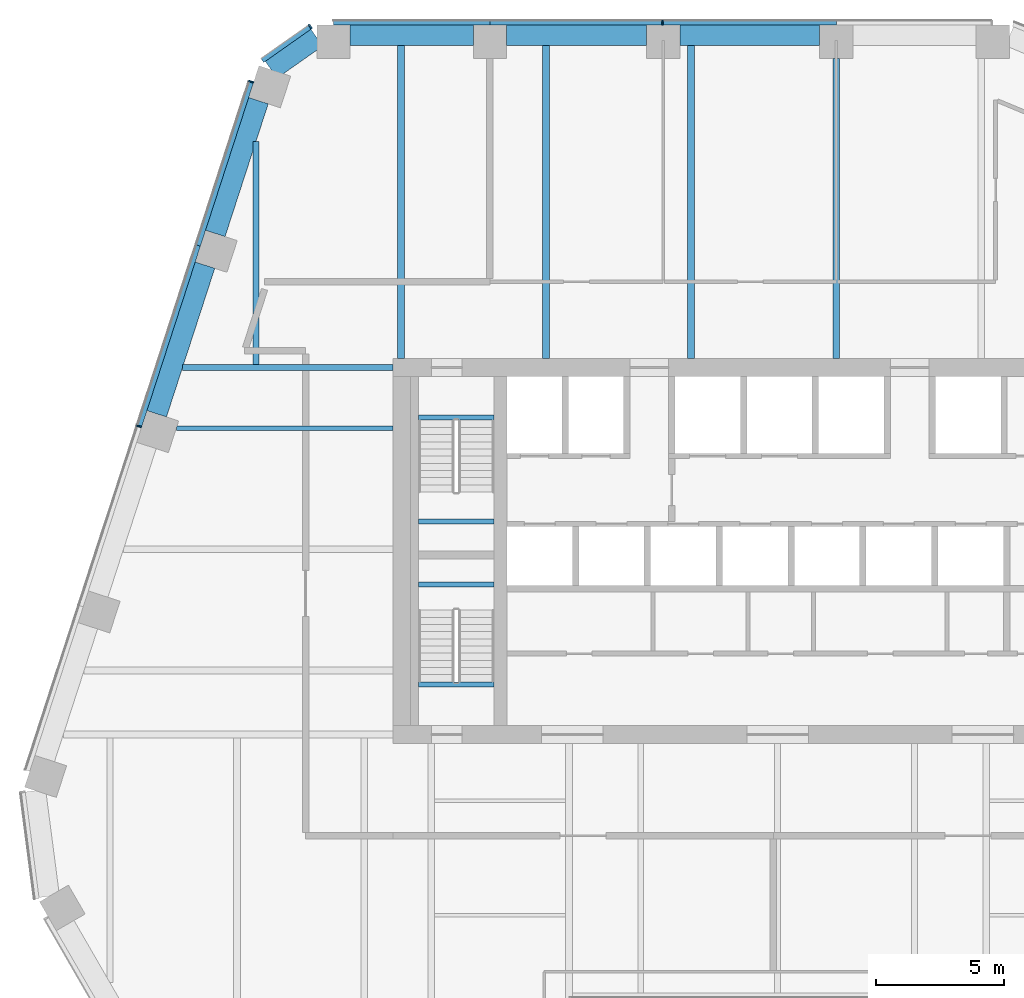
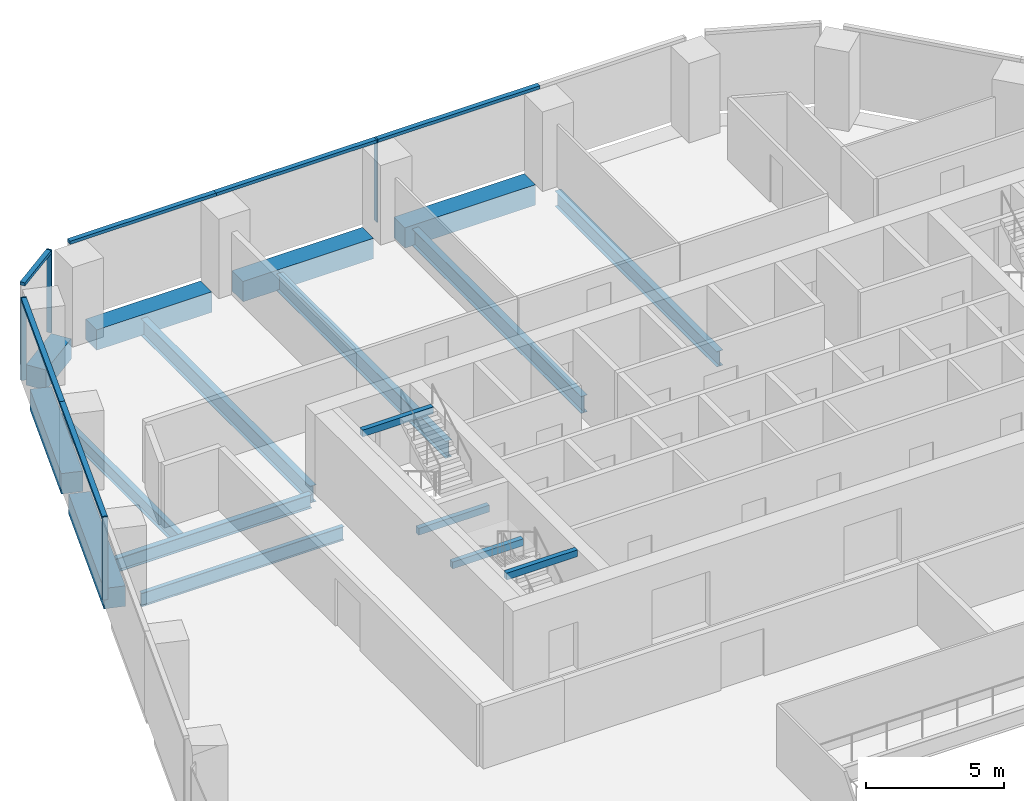
# One storey, part 7 of 16: 17 beams, 10 members, 3 elements without a shape of their own.
"""IFC4 building model written with IfcOpenShell, lengths in metres."""

from ifc_helpers import new_model, si_unit, direction, frame, origin, origin_2d, place, context, subcontext, project, spatial, rectangle, i_section, extrude, material, layer, layer_set, material_profile, profile_set, type_object, element, aggregate, save


model = new_model("IFC4")

# Units and contexts
model_context = context("Model", 3, precision=1e-05, world=origin(), true_north=direction((0.0, 1.0)))
body_context = subcontext(model_context, "Body", "Model", "MODEL_VIEW")
ifc_project = project(units=[si_unit("LENGTHUNIT", "METRE"), si_unit("AREAUNIT", "SQUARE_METRE"), si_unit("VOLUMEUNIT", "CUBIC_METRE"), si_unit("PLANEANGLEUNIT", "RADIAN"), si_unit("MASSUNIT", "GRAM", prefix="KILO")], contexts=[model_context])

# Site, building, storey
site_placement = place(None, origin())
site = spatial("IfcSite", under=ifc_project, at=site_placement, CompositionType="ELEMENT")
building_placement = place(site_placement, origin())
building = spatial("IfcBuilding", under=site, at=building_placement, Name="Isthmus Gate Tower", CompositionType="ELEMENT")
storey_placement = place(building_placement, frame((0.0, 0.0, 192.699951171875)))
storey = spatial("IfcBuildingStorey", under=building, at=storey_placement, Name="L48", CompositionType="ELEMENT", Elevation=192.699951171875)

# Curtain wall, member
ifc_material_1 = material(Name="Aluminium, pale champagne anodised", Category="aluminium")
ifc_layer = layer(ifc_material_1, 0.199951171875)
ifc_layer_set = layer_set([ifc_layer], Name="CW-1 UNITISED CURTAIN WALL 200 DEEP")
curtain_wall_type = type_object("IfcCurtainWallType", Name="CW-1 UNITISED CURTAIN WALL 200 DEEP", PredefinedType="NOTDEFINED", material=ifc_layer_set)
curtain_wall_1_placement = place(storey_placement, origin())
curtain_wall_1 = element("IfcCurtainWall", 1, at=curtain_wall_1_placement, inside=storey, type_object=curtain_wall_type, Name="CW-1 N L48", PredefinedType="NOTDEFINED")
ifc_material_2 = material(Name="Aluminium, pale champagne anodised", Category="aluminium")
ifc_material_profile_1 = material_profile(ifc_material_2, rectangle(XDim=0.06005859375, YDim=0.199951171875, at=origin_2d()), Name="60x200")
ifc_profile_set_1 = profile_set([ifc_material_profile_1], Name="Aluminium, pale champagne anodised")
member_type_1 = type_object("IfcMemberType", Name="CW-1 MULLION 60 X 200", PredefinedType="MULLION", material=ifc_profile_set_1)
member_1_placement = place(storey_placement, frame((-4.49169921875, 28.10009765625, 0.0), z_axis=(0.0, 0.0, 1.0), x_axis=(-1.0, 0.0, 0.0)))
member_1 = element("IfcMember", 2, at=member_1_placement, type_object=member_type_1, Name="CW-1 mullion", PredefinedType="MULLION", context=body_context, shape_type="SweptSolid", body=[
    extrude(rectangle(XDim=0.06005859375, YDim=0.199951171875, at=origin_2d()), origin(), (0.0, 0.0, 1.0), 3.650146484375),
])

curtain_wall_2_placement = place(storey_placement, origin())
curtain_wall_2 = element("IfcCurtainWall", 3, at=curtain_wall_2_placement, inside=storey, type_object=curtain_wall_type, Name="CW-1 N-NW L48", PredefinedType="NOTDEFINED")
member_2_placement = place(storey_placement, frame((-18.216552734375, 27.943115234375, 0.0), z_axis=(0.0, 0.0, 1.0), x_axis=(-0.81785959165, -0.57541783805, 0.0)))
member_2 = element("IfcMember", 4, at=member_2_placement, type_object=member_type_1, Name="CW-1 mullion", PredefinedType="MULLION", context=body_context, shape_type="SweptSolid", body=[
    extrude(rectangle(XDim=0.06005859375, YDim=0.199951171875, at=origin_2d()), origin(), (0.0, 0.0, 1.0), 3.650146484375),
])

# Curtain wall, members
curtain_wall_3_placement = place(storey_placement, origin())
curtain_wall_3 = element("IfcCurtainWall", 5, at=curtain_wall_3_placement, inside=storey, type_object=curtain_wall_type, Name="CW-1 NW L48", PredefinedType="NOTDEFINED")
member_3_placement = place(storey_placement, frame((-20.52001953125, 25.799072265625, 0.0), z_axis=(0.0, 0.0, 1.0), x_axis=(-0.309016994375, -0.951056516295, 0.0)))
member_3 = element("IfcMember", 6, at=member_3_placement, type_object=member_type_1, Name="CW-1 mullion", PredefinedType="MULLION", context=body_context, shape_type="SweptSolid", body=[
    extrude(rectangle(XDim=0.06005859375, YDim=0.199951171875, at=origin_2d()), origin(), (0.0, 0.0, 1.0), 3.650146484375),
])
member_4_placement = place(storey_placement, frame((-24.886962890625, 12.359130859375, 0.0), z_axis=(0.0, 0.0, 1.0), x_axis=(-0.309016994375, -0.951056516295, 0.0)))
member_4 = element("IfcMember", 7, at=member_4_placement, type_object=member_type_1, Name="CW-1 mullion", PredefinedType="MULLION", context=body_context, shape_type="SweptSolid", body=[
    extrude(rectangle(XDim=0.06005859375, YDim=0.199951171875, at=origin_2d()), origin(), (0.0, 0.0, 1.0), 3.650146484375),
])

# Member
ifc_material_3 = material(Name="Aluminium, pale champagne anodised", Category="aluminium")
ifc_material_profile_2 = material_profile(ifc_material_3, rectangle(XDim=0.199951171875, YDim=0.139892578125, at=origin_2d()), Name="200x140")
ifc_profile_set_2 = profile_set([ifc_material_profile_2], Name="Aluminium, pale champagne anodised")
member_type_2 = type_object("IfcMemberType", Name="CW-1 TRANSOM 200 X 140", PredefinedType="USERDEFINED", material=ifc_profile_set_2)
member_5_placement = place(storey_placement, frame((2.288330078125, 28.10009765625, 3.580078125), z_axis=(-1.0, 0.0, 0.0), x_axis=(0.0, -1.0, 0.0)))
member_5 = element("IfcMember", 8, at=member_5_placement, type_object=member_type_2, Name="CW-1 transom", ObjectType="TRANSOM", PredefinedType="USERDEFINED", context=body_context, shape_type="SweptSolid", body=[
    extrude(rectangle(XDim=0.199951171875, YDim=0.139892578125, at=origin_2d()), origin(), (0.0, 0.0, 1.0), 6.75),
])

member_6_placement = place(storey_placement, frame((-4.521728515625, 28.10009765625, 3.580078125), z_axis=(-1.0, 0.0, 0.0), x_axis=(0.0, -1.0, 0.0)))
member_6 = element("IfcMember", 9, at=member_6_placement, type_object=member_type_2, Name="CW-1 transom", ObjectType="TRANSOM", PredefinedType="USERDEFINED", context=body_context, shape_type="SweptSolid", body=[
    extrude(rectangle(XDim=0.199951171875, YDim=0.139892578125, at=origin_2d()), origin(), (0.0, 0.0, 1.0), 6.690185546875),
])

member_7_placement = place(storey_placement, frame((-11.2119140625, 28.10009765625, 3.580078125), z_axis=(-1.0, 0.0, 0.0), x_axis=(0.0, -1.0, 0.0)))
member_7 = element("IfcMember", 10, at=member_7_placement, type_object=member_type_2, Name="CW-1 transom", ObjectType="TRANSOM", PredefinedType="USERDEFINED", context=body_context, shape_type="SweptSolid", body=[
    extrude(rectangle(XDim=0.199951171875, YDim=0.139892578125, at=origin_2d()), origin(), (0.0, 0.0, 1.0), 6.10009765625),
])

aggregate(curtain_wall_1, [member_5, member_1, member_6, member_7])

member_8_placement = place(storey_placement, frame((-18.2412109375, 27.92578125, 3.580078125), z_axis=(-0.817868595604, -0.575405040233, 0.0), x_axis=(0.575405040233, -0.817868595604, 0.0)))
member_8 = element("IfcMember", 11, at=member_8_placement, type_object=member_type_2, Name="CW-1 transom", ObjectType="TRANSOM", PredefinedType="USERDEFINED", context=body_context, shape_type="SweptSolid", body=[
    extrude(rectangle(XDim=0.199951171875, YDim=0.139892578125, at=origin_2d()), origin(), (0.0, 0.0, 1.0), 2.258544921875),
])

aggregate(curtain_wall_2, [member_2, member_8])

member_9_placement = place(storey_placement, frame((-20.529296875, 25.7705078125, 3.580078125), z_axis=(-0.309015834351, -0.951056893209, 0.0), x_axis=(0.951056893209, -0.309015834351, 0.0)))
member_9 = element("IfcMember", 12, at=member_9_placement, type_object=member_type_2, Name="CW-1 transom", ObjectType="TRANSOM", PredefinedType="USERDEFINED", context=body_context, shape_type="SweptSolid", body=[
    extrude(rectangle(XDim=0.199951171875, YDim=0.139892578125, at=origin_2d()), origin(), (0.0, 0.0, 1.0), 6.6806640625),
])

member_10_placement = place(storey_placement, frame((-22.59375, 19.416748046875, 3.580078125), z_axis=(-0.309024076379, -0.951054215183, 0.0), x_axis=(0.951054215183, -0.309024076379, 0.0)))
member_10 = element("IfcMember", 13, at=member_10_placement, type_object=member_type_2, Name="CW-1 transom", ObjectType="TRANSOM", PredefinedType="USERDEFINED", context=body_context, shape_type="SweptSolid", body=[
    extrude(rectangle(XDim=0.199951171875, YDim=0.139892578125, at=origin_2d()), origin(), (0.0, 0.0, 1.0), 7.390869140625),
])

aggregate(curtain_wall_3, [member_3, member_9, member_10, member_4])

# Beams
ifc_material_4 = material(Name="Concrete f'c 60 MPa", Category="concrete")
ifc_material_profile_3 = material_profile(ifc_material_4, rectangle(XDim=0.800048828125, YDim=0.89990234375, at=origin_2d()), Name="RC 800X900")
ifc_profile_set_3 = profile_set([ifc_material_profile_3], Name="Concrete f'c 60 MPa")
beam_type_1 = type_object("IfcBeamType", Name="RC SPANDREL 800 X 900", PredefinedType="SPANDREL", material=ifc_profile_set_3)
beam_1_placement = place(storey_placement, frame((-24.201416015625, 12.851318359375, -0.449951171875), z_axis=(0.309039848514, 0.951049090232, 0.0), x_axis=(-0.951049090232, 0.309039848514, 0.0)))
element("IfcBeam", 14, at=beam_1_placement, inside=storey, type_object=beam_type_1, Name="str-spandrel-L48-23", PredefinedType="SPANDREL", context=body_context, shape_type="SweptSolid", body=[
    extrude(rectangle(XDim=0.800048828125, YDim=0.89990234375, at=origin_2d()), origin(), (0.0, 0.0, 1.0), 6.0908203125),
])
beam_2_placement = place(storey_placement, frame((-21.91748046875, 19.88037109375, -0.449951171875), z_axis=(0.309030267747, 0.951052203413, 0.0), x_axis=(-0.951052203413, 0.309030267747, 0.0)))
element("IfcBeam", 15, at=beam_2_placement, inside=storey, type_object=beam_type_1, Name="str-spandrel-L48-24", PredefinedType="SPANDREL", context=body_context, shape_type="SweptSolid", body=[
    extrude(rectangle(XDim=0.800048828125, YDim=0.89990234375, at=origin_2d()), origin(), (0.0, 0.0, 1.0), 5.44091796875),
])
beam_3_placement = place(storey_placement, frame((-19.7392578125, 26.260498046875, -0.449951171875), z_axis=(0.817857331203, 0.575421050882, 0.0), x_axis=(-0.575421050882, 0.817857331203, 0.0)))
element("IfcBeam", 16, at=beam_3_placement, inside=storey, type_object=beam_type_1, Name="str-spandrel-L48-25", PredefinedType="SPANDREL", context=body_context, shape_type="SweptSolid", body=[
    extrude(rectangle(XDim=0.800048828125, YDim=0.89990234375, at=origin_2d()), origin(), (0.0, 0.0, 1.0), 2.173095703125),
])
beam_4_placement = place(storey_placement, frame((-16.661865234375, 27.60009765625, -0.449951171875), z_axis=(1.0, 0.0, 0.0), x_axis=(0.0, 1.0, 0.0)))
element("IfcBeam", 17, at=beam_4_placement, inside=storey, type_object=beam_type_1, Name="str-spandrel-L48-26", PredefinedType="SPANDREL", context=body_context, shape_type="SweptSolid", body=[
    extrude(rectangle(XDim=0.800048828125, YDim=0.89990234375, at=origin_2d()), origin(), (0.0, 0.0, 1.0), 4.800048828125),
])
beam_5_placement = place(storey_placement, frame((-10.561767578125, 27.60009765625, -0.449951171875), z_axis=(1.0, 0.0, 0.0), x_axis=(0.0, 1.0, 0.0)))
element("IfcBeam", 18, at=beam_5_placement, inside=storey, type_object=beam_type_1, Name="str-spandrel-L48-27", PredefinedType="SPANDREL", context=body_context, shape_type="SweptSolid", body=[
    extrude(rectangle(XDim=0.800048828125, YDim=0.89990234375, at=origin_2d()), origin(), (0.0, 0.0, 1.0), 5.449951171875),
])
beam_6_placement = place(storey_placement, frame((-3.811767578125, 27.60009765625, -0.449951171875), z_axis=(1.0, 0.0, 0.0), x_axis=(0.0, 1.0, 0.0)))
element("IfcBeam", 19, at=beam_6_placement, inside=storey, type_object=beam_type_1, Name="str-spandrel-L48-28", PredefinedType="SPANDREL", context=body_context, shape_type="SweptSolid", body=[
    extrude(rectangle(XDim=0.800048828125, YDim=0.89990234375, at=origin_2d()), origin(), (0.0, 0.0, 1.0), 5.4501953125),
])
ifc_material_5 = material(Name="Concrete f'c 40 MPa", Category="concrete")
ifc_material_profile_4 = material_profile(ifc_material_5, rectangle(XDim=0.199951171875, YDim=0.300048828125, at=origin_2d()), Name="STAIR LANDING BEAM RC 200 X 300")
ifc_profile_set_4 = profile_set([ifc_material_profile_4], Name="Concrete f'c 40 MPa")
beam_type_2 = type_object("IfcBeamType", Name="STAIR LANDING BEAM RC 200 X 300", PredefinedType="BEAM", material=ifc_profile_set_4)
for number, where, z_axis, x_axis, name in (
    (20, (-14.0, 8.64990234375, 1.47509765625), (1.0, 0.0, 0.0), (0.0, 1.0, 0.0), "L48 ST1 landing beam 1"),
    (21, (-14.0, 12.7001953125, 3.35009765625), (1.0, 0.0, 0.0), (0.0, 1.0, 0.0), "L48 ST1 floor-edge seat beam"),
    (22, (-14.0, 6.199951171875, 1.47509765625), (1.0, 0.0, 0.0), (0.0, 1.0, 0.0), "L48 ST7 landing beam 1"),
    (23, (-14.0, 2.2998046875, 3.35009765625), (1.0, 0.0, 0.0), (0.0, 1.0, 0.0), "L48 ST7 floor-edge seat beam"),
):
    element("IfcBeam", number, at=place(storey_placement, frame(where, z_axis=z_axis, x_axis=x_axis)), inside=storey, type_object=beam_type_2, Name=name, PredefinedType="BEAM", context=body_context, shape_type="SweptSolid", body=[
        extrude(rectangle(XDim=0.199951171875, YDim=0.300048828125, at=origin_2d()), origin(), (0.0, 0.0, 1.0), 2.949951171875),
    ])
ifc_material_6 = material(Name="Structural steel ASTM A992 Gr 50", Category="steel")
ifc_material_profile_5 = material_profile(ifc_material_6, i_section(OverallWidth=0.177734375, OverallDepth=0.60009765625, WebThickness=0.009521484375, FlangeThickness=0.0126953125, at=origin_2d()), Name="W24X55")
ifc_profile_set_5 = profile_set([ifc_material_profile_5], Name="Structural steel ASTM A992 Gr 50")
beam_type_3 = type_object("IfcBeamType", Name="STEEL FLOOR BEAM W24X55", PredefinedType="JOIST", material=ifc_profile_set_5)
beam_7_placement = place(storey_placement, frame((-23.43798828125, 12.28857421875, -0.449951171875), z_axis=(1.0, 0.0, 0.0), x_axis=(0.0, 1.0, 0.0)))
element("IfcBeam", 24, at=beam_7_placement, inside=storey, type_object=beam_type_3, Name="str-beam-L48-01-02", PredefinedType="JOIST", context=body_context, shape_type="SweptSolid", body=[
    extrude(i_section(OverallWidth=0.177734375, OverallDepth=0.60009765625, WebThickness=0.009521484375, FlangeThickness=0.0126953125, at=origin_2d()), origin(), (0.0, 0.0, 1.0), 8.43798828125),
])
ifc_material_7 = material(Name="Structural steel ASTM A992 Gr 50", Category="steel")
ifc_material_profile_6 = material_profile(ifc_material_7, i_section(OverallWidth=0.228515625, OverallDepth=0.603271484375, WebThickness=0.010986328125, FlangeThickness=0.014404296875, at=origin_2d()), Name="W24X68")
ifc_profile_set_6 = profile_set([ifc_material_profile_6], Name="Structural steel ASTM A992 Gr 50")
beam_type_4 = type_object("IfcBeamType", Name="STEEL FLOOR BEAM W24X68", PredefinedType="JOIST", material=ifc_profile_set_6)
beam_8_placement = place(storey_placement, frame((-20.332763671875, 14.764404296875, -0.45166015625), z_axis=(0.0, 1.0, 0.0), x_axis=(-1.0, 0.0, 0.0)))
element("IfcBeam", 25, at=beam_8_placement, inside=storey, type_object=beam_type_4, Name="str-beam-L48-05-00", PredefinedType="JOIST", context=body_context, shape_type="SweptSolid", body=[
    extrude(i_section(OverallWidth=0.228515625, OverallDepth=0.603271484375, WebThickness=0.010986328125, FlangeThickness=0.014404296875, at=origin_2d()), origin(), (0.0, 0.0, 1.0), 8.69873046875),
])
ifc_material_8 = material(Name="Structural steel ASTM A992 Gr 50", Category="steel")
ifc_material_profile_7 = material_profile(ifc_material_8, i_section(OverallWidth=0.25390625, OverallDepth=0.679443359375, WebThickness=0.010986328125, FlangeThickness=0.015869140625, at=origin_2d()), Name="W27X84")
ifc_profile_set_7 = profile_set([ifc_material_profile_7], Name="Structural steel ASTM A992 Gr 50")
beam_type_5 = type_object("IfcBeamType", Name="STEEL FLOOR BEAM W27X84", PredefinedType="JOIST", material=ifc_profile_set_7)
beam_9_placement = place(storey_placement, frame((2.2783203125, 15.0, -0.48974609375), z_axis=(0.0, 1.0, 0.0), x_axis=(-1.0, 0.0, 0.0)))
element("IfcBeam", 26, at=beam_9_placement, inside=storey, type_object=beam_type_5, Name="str-beam-L48-05-04", PredefinedType="JOIST", context=body_context, shape_type="SweptSolid", body=[
    extrude(i_section(OverallWidth=0.25390625, OverallDepth=0.679443359375, WebThickness=0.010986328125, FlangeThickness=0.015869140625, at=origin_2d()), origin(), (0.0, 0.0, 1.0), 11.699951171875),
])
ifc_material_9 = material(Name="Structural steel ASTM A992 Gr 50", Category="steel")
ifc_material_profile_8 = material_profile(ifc_material_9, i_section(OverallWidth=0.263427734375, OverallDepth=0.749267578125, WebThickness=0.0126953125, FlangeThickness=0.015869140625, at=origin_2d()), Name="W30X90")
ifc_profile_set_8 = profile_set([ifc_material_profile_8], Name="Structural steel ASTM A992 Gr 50")
beam_type_6 = type_object("IfcBeamType", Name="STEEL FLOOR BEAM W30X90", PredefinedType="JOIST", material=ifc_profile_set_8)
for number, where, z_axis, x_axis, name in (
    (27, (-14.679931640625, 15.0, -0.524658203125), (0.0, 1.0, 0.0), (-1.0, 0.0, 0.0), "str-beam-L48-05-01"),
    (28, (-9.027099609375, 15.0, -0.524658203125), (0.0, 1.0, 0.0), (-1.0, 0.0, 0.0), "str-beam-L48-05-02"),
    (29, (-3.37451171875, 15.0, -0.524658203125), (0.0, 1.0, 0.0), (-1.0, 0.0, 0.0), "str-beam-L48-05-03"),
):
    element("IfcBeam", number, at=place(storey_placement, frame(where, z_axis=z_axis, x_axis=x_axis)), inside=storey, type_object=beam_type_6, Name=name, PredefinedType="JOIST", context=body_context, shape_type="SweptSolid", body=[
        extrude(i_section(OverallWidth=0.263427734375, OverallDepth=0.749267578125, WebThickness=0.0126953125, FlangeThickness=0.015869140625, at=origin_2d()), origin(), (0.0, 0.0, 1.0), 12.199951171875),
    ])
ifc_material_10 = material(Name="Structural steel ASTM A992 Gr 50", Category="steel")
ifc_material_profile_9 = material_profile(ifc_material_10, i_section(OverallWidth=0.228515625, OverallDepth=0.6064453125, WebThickness=0.010986328125, FlangeThickness=0.017578125, at=origin_2d()), Name="W24X76")
ifc_profile_set_9 = profile_set([ifc_material_profile_9], Name="Structural steel ASTM A992 Gr 50")
beam_type_7 = type_object("IfcBeamType", Name="STEEL GIRDER W24X76", PredefinedType="BEAM", material=ifc_profile_set_9)
beam_10_placement = place(storey_placement, frame((-15.0, 14.64990234375, -0.453125), z_axis=(-1.0, 0.0, 0.0), x_axis=(0.0, -1.0, 0.0)))
element("IfcBeam", 30, at=beam_10_placement, inside=storey, type_object=beam_type_7, Name="str-girder-L48-15", PredefinedType="BEAM", context=body_context, shape_type="SweptSolid", body=[
    extrude(i_section(OverallWidth=0.228515625, OverallDepth=0.6064453125, WebThickness=0.010986328125, FlangeThickness=0.017578125, at=origin_2d()), origin(), (0.0, 0.0, 1.0), 8.1962890625),
])

save(model, "model.ifc")
